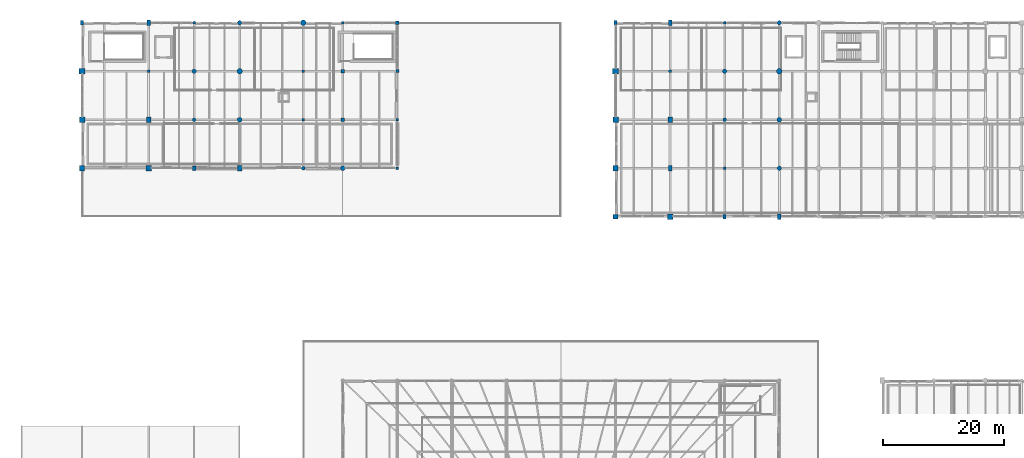
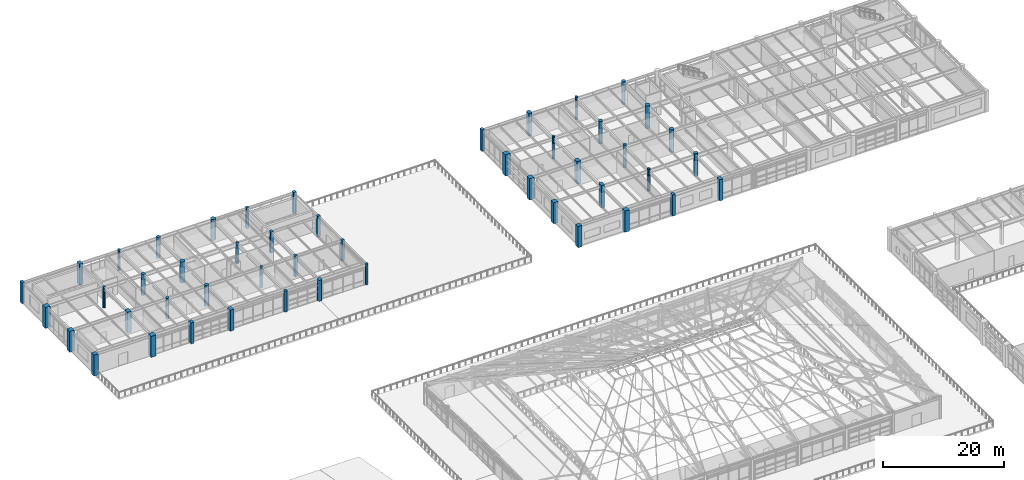
# One storey, part 7 of 168: 48 columns.
"""IFC4 building model written with IfcOpenShell, lengths in metres."""

import ifcopenshell
import ifcopenshell.guid

model = None  # the IFC model being written
_history = None  # IfcOwnerHistory: only IFC2X3 demands one
_inside = {}  # id of a spatial element -> (the spatial element, [elements in it])
_under = {}  # id of a project, library or spatial element -> (it, [spatial elements below it])
_declared = {}  # id of a project -> (the project, [libraries it declares])
_typed = {}  # id of a type object -> (the type object, [elements of that type])
_made_of = {}  # id of a material, layer set ... -> (it, [elements and type objects made of it])


def new_model(schema):
    """Start an empty IFC model of exactly this schema.

    Asked for "IFC4X3", IfcOpenShell would pick the latest addendum, in which some entities
    have other attributes; the version numbers below select the first issue.
    IFC2X3 requires an IfcOwnerHistory on every rooted entity: one is made here for all.
    """
    global model, _history
    if schema == "IFC4X3":
        model = ifcopenshell.file(schema_version=(4, 3, 0, 0))
    else:
        model = ifcopenshell.file(schema=schema)
    _inside.clear()
    _under.clear()
    _declared.clear()
    _typed.clear()
    _made_of.clear()
    _history = None
    if model.schema == "IFC2X3":
        org = make("IfcOrganization", Name="unknown")
        user = make(
            "IfcPersonAndOrganization",
            ThePerson=make("IfcPerson", FamilyName="unknown"),
            TheOrganization=org,
        )
        app = make(
            "IfcApplication",
            ApplicationDeveloper=org,
            Version="unknown",
            ApplicationFullName="unknown",
            ApplicationIdentifier="unknown",
        )
        _history = make(
            "IfcOwnerHistory",
            OwningUser=user,
            OwningApplication=app,
            ChangeAction="ADDED",
            CreationDate=0,
        )
    return model


def make(cls, **values):
    """One entity of the class cls with the attributes given. An attribute that is None is left unset."""
    return model.create_entity(
        cls, **{name: value for name, value in values.items() if value is not None}
    )


def rooted(cls, **values):
    """An entity with a GlobalId (a new one), such as an element, a storey or a relation."""
    return make(cls, GlobalId=ifcopenshell.guid.new(), OwnerHistory=_history, **values)


def si_unit(unit_type, name, prefix=None):
    """IfcSIUnit, for example si_unit("LENGTHUNIT", "METRE", prefix="MILLI")."""
    return make("IfcSIUnit", UnitType=unit_type, Prefix=prefix, Name=name)


def assignment(units):
    """IfcUnitAssignment: the units of a project."""
    return None if units is None else make("IfcUnitAssignment", Units=units)


def point(xyz):
    """IfcCartesianPoint."""
    return None if xyz is None else make("IfcCartesianPoint", Coordinates=xyz)


def direction(xyz):
    """IfcDirection."""
    return None if xyz is None else make("IfcDirection", DirectionRatios=xyz)


def frame(location, z_axis=None, x_axis=None):
    """IfcAxis2Placement3D, a coordinate frame: its origin and axes. An axis left out is left unset."""
    return make(
        "IfcAxis2Placement3D",
        Location=point(location),
        Axis=direction(z_axis),
        RefDirection=direction(x_axis),
    )


def frame_2d(location, x_axis=None):
    """IfcAxis2Placement2D, a coordinate frame in the plane: its origin and x axis."""
    return make(
        "IfcAxis2Placement2D", Location=point(location), RefDirection=direction(x_axis)
    )


def origin():
    """The frame at (0, 0, 0) with its axes left unset."""
    return frame((0.0, 0.0, 0.0))


def origin_2d():
    """The frame at (0, 0) in the plane with its x axis left unset."""
    return frame_2d((0.0, 0.0))


def place(relative_to, where):
    """IfcLocalPlacement: puts the frame where relative to a parent placement (None: the world)."""
    return make(
        "IfcLocalPlacement", PlacementRelTo=relative_to, RelativePlacement=where
    )


def context(
    kind, dimensions, precision=None, world=None, true_north=None, identifier=None
):
    """IfcGeometricRepresentationContext, for example the 3D "Model" context."""
    return make(
        "IfcGeometricRepresentationContext",
        ContextIdentifier=identifier,
        ContextType=kind,
        CoordinateSpaceDimension=dimensions,
        Precision=precision,
        WorldCoordinateSystem=world,
        TrueNorth=true_north,
    )


def subcontext(parent, identifier, kind, view, scale=None):
    """IfcGeometricRepresentationSubContext, for example "Body" below "Model"."""
    return make(
        "IfcGeometricRepresentationSubContext",
        ContextIdentifier=identifier,
        ContextType=kind,
        ParentContext=parent,
        TargetScale=scale,
        TargetView=view,
    )


def project(units=None, contexts=None):
    """IfcProject with its units and contexts."""
    return rooted(
        "IfcProject",
        Name="project",
        RepresentationContexts=contexts,
        UnitsInContext=assignment(units),
    )


def spatial(cls, under=None, at=None, **own):
    """A site, building, storey or space (cls), placed at a placement, below another one or the project."""
    s = rooted(cls, ObjectPlacement=at, **own)
    if under is not None:
        _under.setdefault(under.id(), (under, []))[1].append(s)
    return s


def profile(cls, at=None, kind="AREA", **sizes):
    """A parametric profile (cls). Its sizes go by their IFC names, for example OverallWidth=200.0."""
    return make(cls, ProfileType=kind, Position=at, **sizes)


def rectangle(**sizes):
    """IfcRectangleProfileDef."""
    return profile("IfcRectangleProfileDef", **sizes)


def circle(**sizes):
    """IfcCircleProfileDef."""
    return profile("IfcCircleProfileDef", **sizes)


def extrude(swept, where, along, depth):
    """IfcExtrudedAreaSolid: the profile swept, set in the frame where, extruded along a direction by depth."""
    return make(
        "IfcExtrudedAreaSolid",
        SweptArea=swept,
        Position=where,
        ExtrudedDirection=direction(along),
        Depth=depth,
    )


def shape(context_of_items, identifier, shape_type, items):
    """IfcShapeRepresentation: the items that make up one representation, for example the "Body"."""
    return make(
        "IfcShapeRepresentation",
        ContextOfItems=context_of_items,
        RepresentationIdentifier=identifier,
        RepresentationType=shape_type,
        Items=items,
    )


def material(Name=None, Category=None):
    """IfcMaterial."""
    return make("IfcMaterial", Name=Name, Category=Category)


def material_profile(
    of_material, cross_section, Name=None, Category=None, Priority=None
):
    """IfcMaterialProfile: a cross section and its material."""
    return make(
        "IfcMaterialProfile",
        Name=Name,
        Material=of_material,
        Profile=cross_section,
        Priority=Priority,
        Category=Category,
    )


def profile_set(profiles, Name=None, composite=None):
    """IfcMaterialProfileSet."""
    return make(
        "IfcMaterialProfileSet",
        Name=Name,
        MaterialProfiles=profiles,
        CompositeProfile=composite,
    )


def made_of(thing, what):
    """Note that an element or type object is made of a material, layer set ...; save() writes the relation."""
    if what is not None:
        _made_of.setdefault(what.id(), (what, []))[1].append(thing)
    return thing


def type_object(cls, material=None, **own):
    """A type object (cls), such as IfcWallType, which elements share."""
    return made_of(rooted(cls, **own), material)


def element(
    cls,
    number,
    at=None,
    inside=None,
    cuts=None,
    type_object=None,
    material=None,
    context=None,
    identifier="Body",
    shape_type=None,
    held_by="IfcProductDefinitionShape",
    body=None,
    shapes=None,
    **own,
):
    """One element of the class cls, such as IfcWall. Its Tag is "e" and its number.

    at: its placement. inside: the storey or other place that contains it. cuts: it is an
    opening in that element (IfcRelVoidsElement). A single representation is given by context,
    identifier, shape_type and body (its items); several are given by shapes. held_by: the class
    of the entity that holds the representations. save() writes the other relations.
    """
    e = rooted(cls, Tag="e%d" % number, ObjectPlacement=at, **own)
    if body is not None:
        shapes = [shape(context, identifier, shape_type, body)]
    if shapes is not None:
        e.Representation = make(held_by, Representations=shapes)
    if inside is not None:
        _inside.setdefault(inside.id(), (inside, []))[1].append(e)
    if cuts is not None:
        rooted(
            "IfcRelVoidsElement", RelatingBuildingElement=cuts, RelatedOpeningElement=e
        )
    if type_object is not None:
        _typed.setdefault(type_object.id(), (type_object, []))[1].append(e)
    return made_of(e, material)


def aggregate(whole, parts):
    """IfcRelAggregates: a whole, such as a stair, and the parts it consists of."""
    return rooted("IfcRelAggregates", RelatingObject=whole, RelatedObjects=parts)


def save(model, path):
    """Write the relations noted so far, then the file.

    IfcRelAggregates (storeys below a building ...), IfcRelContainedInSpatialStructure (elements
    in a storey), IfcRelDefinesByType, IfcRelAssociatesMaterial and IfcRelDeclares: one each for
    every whole, place, type object, material and project.
    """
    for whole, parts in _under.values():
        aggregate(whole, parts)
    for where, things in _inside.values():
        rooted(
            "IfcRelContainedInSpatialStructure",
            RelatedElements=things,
            RelatingStructure=where,
        )
    for kind, things in _typed.values():
        rooted("IfcRelDefinesByType", RelatedObjects=things, RelatingType=kind)
    for what, things in _made_of.values():
        rooted("IfcRelAssociatesMaterial", RelatedObjects=things, RelatingMaterial=what)
    for by, libraries in _declared.values():
        rooted("IfcRelDeclares", RelatingContext=by, RelatedDefinitions=libraries)
    model.write(path)


model = new_model("IFC4")

# Units and contexts
model_context = context("Model", 3, precision=1e-05, world=origin(), true_north=direction((0.0, 1.0)))
body_context = subcontext(model_context, "Body", "Model", "MODEL_VIEW")
ifc_project = project(units=[si_unit("LENGTHUNIT", "METRE"), si_unit("AREAUNIT", "SQUARE_METRE"), si_unit("VOLUMEUNIT", "CUBIC_METRE"), si_unit("PLANEANGLEUNIT", "RADIAN"), si_unit("MASSUNIT", "GRAM", prefix="KILO"), si_unit("THERMODYNAMICTEMPERATUREUNIT", "KELVIN"), si_unit("POWERUNIT", "WATT")], contexts=[model_context])

# Site, building, storey
site_placement = place(None, origin())
site = spatial("IfcSite", under=ifc_project, at=site_placement, CompositionType="ELEMENT")
building_placement = place(site_placement, origin())
building = spatial("IfcBuilding", under=site, at=building_placement, Name="Tepalcoro Natatorium and Aquatics Centre", CompositionType="ELEMENT")
storey_placement = place(building_placement, frame((0.0, 0.0, 10.199951171875)))
storey = spatial("IfcBuildingStorey", under=building, at=storey_placement, Name="L02", CompositionType="ELEMENT", Elevation=10.199951171875)

# Columns
ifc_material = material(Name="Concrete C40/50 (fc 40 MPa)", Category="concrete")
ifc_material_profile_1 = material_profile(ifc_material, rectangle(XDim=0.39990234375, YDim=0.39990234375, at=origin_2d()), Name="RC400x400")
ifc_profile_set_1 = profile_set([ifc_material_profile_1], Name="Concrete C40/50 (fc 40 MPa)")
column_type_1 = type_object("IfcColumnType", Name="COL_RC_400x400", PredefinedType="COLUMN", material=ifc_profile_set_1)
for number, where, z_axis, x_axis, name in (
    (1, (46.5, 102.0, 0.0), (0.0, 0.0, 1.0), (1.0, 0.0, 0.0), "V4 L02 Grid Column (46.5, 102.0)"),
    (2, (62.0, 94.0, 0.0), (0.0, 0.0, 1.0), (1.0, 0.0, 0.0), "V4 L02 Grid Column (62.0, 94.0)"),
):
    element("IfcColumn", number, at=place(storey_placement, frame(where, z_axis=z_axis, x_axis=x_axis)), inside=storey, type_object=column_type_1, Name=name, PredefinedType="COLUMN", context=body_context, shape_type="SweptSolid", body=[
        extrude(rectangle(XDim=0.39990234375, YDim=0.39990234375, at=origin_2d()), origin(), (0.0, 0.0, 1.0), 4.25),
    ])
ifc_material_profile_2 = material_profile(ifc_material, rectangle(XDim=0.449951171875, YDim=0.449951171875, at=origin_2d()), Name="RC450x450")
ifc_profile_set_2 = profile_set([ifc_material_profile_2], Name="Concrete C40/50 (fc 40 MPa)")
column_type_2 = type_object("IfcColumnType", Name="COL_RC_450x450", PredefinedType="COLUMN", material=ifc_profile_set_2)
for number, where, z_axis, x_axis, name in (
    (3, (46.5, 110.0, 0.0), (0.0, 0.0, 1.0), (1.0, 0.0, 0.0), "V4 L02 Grid Column (46.5, 110.0)"),
    (4, (53.0, 118.0, 0.0), (0.0, 0.0, 1.0), (1.0, 0.0, 0.0), "V4 L02 Grid Column (53.0, 118.0)"),
    (5, (62.0, 102.0, 0.0), (0.0, 0.0, 1.0), (1.0, 0.0, 0.0), "V4 L02 Grid Column (62.0, 102.0)"),
):
    element("IfcColumn", number, at=place(storey_placement, frame(where, z_axis=z_axis, x_axis=x_axis)), inside=storey, type_object=column_type_2, Name=name, PredefinedType="COLUMN", context=body_context, shape_type="SweptSolid", body=[
        extrude(rectangle(XDim=0.449951171875, YDim=0.449951171875, at=origin_2d()), origin(), (0.0, 0.0, 1.0), 4.25),
    ])
ifc_material_profile_3 = material_profile(ifc_material, rectangle(XDim=0.5, YDim=0.5, at=origin_2d()), Name="RC500x500")
ifc_profile_set_3 = profile_set([ifc_material_profile_3], Name="Concrete C40/50 (fc 40 MPa)")
column_type_3 = type_object("IfcColumnType", Name="COL_RC_500x500", PredefinedType="COLUMN", material=ifc_profile_set_3)
for number, where, z_axis, x_axis, name in (
    (6, (53.0, 102.0, 0.0), (0.0, 0.0, 1.0), (1.0, 0.0, 0.0), "V4 L02 Grid Column (53.0, 102.0)"),
    (7, (62.0, 110.0, 0.0), (0.0, 0.0, 1.0), (1.0, 0.0, 0.0), "V4 L02 Grid Column (62.0, 110.0)"),
):
    element("IfcColumn", number, at=place(storey_placement, frame(where, z_axis=z_axis, x_axis=x_axis)), inside=storey, type_object=column_type_3, Name=name, PredefinedType="COLUMN", context=body_context, shape_type="SweptSolid", body=[
        extrude(rectangle(XDim=0.5, YDim=0.5, at=origin_2d()), origin(), (0.0, 0.0, 1.0), 4.25),
    ])
ifc_material_profile_4 = material_profile(ifc_material, rectangle(XDim=0.5, YDim=0.699951171875, at=origin_2d()), Name="RC500x700")
ifc_profile_set_4 = profile_set([ifc_material_profile_4], Name="Concrete C40/50 (fc 40 MPa)")
column_type_4 = type_object("IfcColumnType", Name="COL_RC_500x700", PredefinedType="COLUMN", material=ifc_profile_set_4)
column_1_placement = place(storey_placement, frame((10.0, 118.0, 0.0), z_axis=(0.0, 0.0, 1.0), x_axis=(1.0, 0.0, 0.0)))
element("IfcColumn", 8, at=column_1_placement, inside=storey, type_object=column_type_4, Name="V4 L02 Grid Column (10.0, 118.0)", PredefinedType="COLUMN", context=body_context, shape_type="SweptSolid", body=[
    extrude(rectangle(XDim=0.5, YDim=0.699951171875, at=origin_2d()), origin(), (0.0, 0.0, 1.0), 4.25),
])
for number, where, z_axis, x_axis, name in (
    (9, (98.0, 118.0, 0.0), (0.0, 0.0, 1.0), (1.0, 0.0, 0.0), "V5 L02 Grid Column (98.0, 118.0)"),
    (10, (116.0, 86.0, 0.0), (0.0, 0.0, 1.0), (1.0, 0.0, 0.0), "V5 L02 Grid Column (116.0, 86.0)"),
):
    element("IfcColumn", number, at=place(storey_placement, frame(where, z_axis=z_axis, x_axis=x_axis)), inside=storey, type_object=column_type_4, Name=name, PredefinedType="COLUMN", context=body_context, shape_type="SweptSolid", body=[
        extrude(rectangle(XDim=0.5, YDim=0.699951171875, at=origin_2d()), origin(), (0.0, 0.0, 1.0), 4.300048828125),
    ])
ifc_material_profile_5 = material_profile(ifc_material, rectangle(XDim=0.550048828125, YDim=0.550048828125, at=origin_2d()), Name="RC550x550")
ifc_profile_set_5 = profile_set([ifc_material_profile_5], Name="Concrete C40/50 (fc 40 MPa)")
column_type_5 = type_object("IfcColumnType", Name="COL_RC_550x550", PredefinedType="COLUMN", material=ifc_profile_set_5)
for number, where, z_axis, x_axis, name in (
    (11, (53.0, 110.0, 0.0), (0.0, 0.0, 1.0), (1.0, 0.0, 0.0), "V4 L02 Grid Column (53.0, 110.0)"),
    (12, (62.0, 118.0, 0.0), (0.0, 0.0, 1.0), (1.0, 0.0, 0.0), "V4 L02 Grid Column (62.0, 118.0)"),
):
    element("IfcColumn", number, at=place(storey_placement, frame(where, z_axis=z_axis, x_axis=x_axis)), inside=storey, type_object=column_type_5, Name=name, PredefinedType="COLUMN", context=body_context, shape_type="SweptSolid", body=[
        extrude(rectangle(XDim=0.550048828125, YDim=0.550048828125, at=origin_2d()), origin(), (0.0, 0.0, 1.0), 4.25),
    ])
ifc_material_profile_6 = material_profile(ifc_material, rectangle(XDim=0.60009765625, YDim=0.800048828125, at=origin_2d()), Name="RC600x800")
ifc_profile_set_6 = profile_set([ifc_material_profile_6], Name="Concrete C40/50 (fc 40 MPa)")
column_type_6 = type_object("IfcColumnType", Name="COL_RC_600x800", PredefinedType="COLUMN", material=ifc_profile_set_6)
column_2_placement = place(storey_placement, frame((28.5, 94.0, 0.0), z_axis=(0.0, 0.0, 1.0), x_axis=(1.0, 0.0, 0.0)))
element("IfcColumn", 13, at=column_2_placement, inside=storey, type_object=column_type_6, Name="V4 L02 Grid Column (28.5, 94.0)", PredefinedType="COLUMN", context=body_context, shape_type="SweptSolid", body=[
    extrude(rectangle(XDim=0.60009765625, YDim=0.800048828125, at=origin_2d()), origin(), (0.0, 0.0, 1.0), 4.25),
])
ifc_material_profile_7 = material_profile(ifc_material, rectangle(XDim=0.60009765625, YDim=0.89990234375, at=origin_2d()), Name="RC600x900")
ifc_profile_set_7 = profile_set([ifc_material_profile_7], Name="Concrete C40/50 (fc 40 MPa)")
column_type_7 = type_object("IfcColumnType", Name="COL_RC_600x900", PredefinedType="COLUMN", material=ifc_profile_set_7)
column_3_placement = place(storey_placement, frame((21.0, 118.0, 0.0), z_axis=(0.0, 0.0, 1.0), x_axis=(1.0, 0.0, 0.0)))
element("IfcColumn", 14, at=column_3_placement, inside=storey, type_object=column_type_7, Name="V4 L02 Grid Column (21.0, 118.0)", PredefinedType="COLUMN", context=body_context, shape_type="SweptSolid", body=[
    extrude(rectangle(XDim=0.60009765625, YDim=0.89990234375, at=origin_2d()), origin(), (0.0, 0.0, 1.0), 4.25),
])
for number, where, z_axis, x_axis, name in (
    (15, (107.0, 94.0, 0.0), (0.0, 0.0, 1.0), (1.0, 0.0, 0.0), "V5 L02 Grid Column (107.0, 94.0)"),
    (16, (107.0, 118.0, 0.0), (0.0, 0.0, 1.0), (1.0, 0.0, 0.0), "V5 L02 Grid Column (107.0, 118.0)"),
):
    element("IfcColumn", number, at=place(storey_placement, frame(where, z_axis=z_axis, x_axis=x_axis)), inside=storey, type_object=column_type_7, Name=name, PredefinedType="COLUMN", context=body_context, shape_type="SweptSolid", body=[
        extrude(rectangle(XDim=0.60009765625, YDim=0.89990234375, at=origin_2d()), origin(), (0.0, 0.0, 1.0), 4.60009765625),
    ])
column_4_placement = place(storey_placement, frame((125.0, 86.0, 0.0), z_axis=(0.0, 0.0, 1.0), x_axis=(1.0, 0.0, 0.0)))
element("IfcColumn", 17, at=column_4_placement, inside=storey, type_object=column_type_7, Name="V5 L02 Grid Column (125.0, 86.0)", PredefinedType="COLUMN", context=body_context, shape_type="SweptSolid", body=[
    extrude(rectangle(XDim=0.60009765625, YDim=0.89990234375, at=origin_2d()), origin(), (0.0, 0.0, 1.0), 4.300048828125),
])
ifc_material_profile_8 = material_profile(ifc_material, rectangle(XDim=0.699951171875, YDim=0.949951171875, at=origin_2d()), Name="RC700x950")
ifc_profile_set_8 = profile_set([ifc_material_profile_8], Name="Concrete C40/50 (fc 40 MPa)")
column_type_8 = type_object("IfcColumnType", Name="COL_RC_700x950", PredefinedType="COLUMN", material=ifc_profile_set_8)
for number, where, z_axis, x_axis, name in (
    (18, (21.0, 102.0, 0.0), (0.0, 0.0, 1.0), (1.0, 0.0, 0.0), "V4 L02 Grid Column (21.0, 102.0)"),
    (19, (36.0, 94.0, 0.0), (0.0, 0.0, 1.0), (1.0, 0.0, 0.0), "V4 L02 Grid Column (36.0, 94.0)"),
):
    element("IfcColumn", number, at=place(storey_placement, frame(where, z_axis=z_axis, x_axis=x_axis)), inside=storey, type_object=column_type_8, Name=name, PredefinedType="COLUMN", context=body_context, shape_type="SweptSolid", body=[
        extrude(rectangle(XDim=0.699951171875, YDim=0.949951171875, at=origin_2d()), origin(), (0.0, 0.0, 1.0), 4.25),
    ])
column_5_placement = place(storey_placement, frame((107.0, 102.0, 0.0), z_axis=(0.0, 0.0, 1.0), x_axis=(1.0, 0.0, 0.0)))
element("IfcColumn", 20, at=column_5_placement, inside=storey, type_object=column_type_8, Name="V5 L02 Grid Column (107.0, 102.0)", PredefinedType="COLUMN", context=body_context, shape_type="SweptSolid", body=[
    extrude(rectangle(XDim=0.699951171875, YDim=0.949951171875, at=origin_2d()), origin(), (0.0, 0.0, 1.0), 4.60009765625),
])
ifc_material_profile_9 = material_profile(ifc_material, rectangle(XDim=0.800048828125, YDim=0.800048828125, at=origin_2d()), Name="RC800x800")
ifc_profile_set_9 = profile_set([ifc_material_profile_9], Name="Concrete C40/50 (fc 40 MPa)")
column_type_9 = type_object("IfcColumnType", Name="COL_RC_800x800", PredefinedType="COLUMN", material=ifc_profile_set_9)
column_6_placement = place(storey_placement, frame((98.0, 86.0, 0.0), z_axis=(0.0, 0.0, 1.0), x_axis=(1.0, 0.0, 0.0)))
element("IfcColumn", 21, at=column_6_placement, inside=storey, type_object=column_type_9, Name="V5 L02 Grid Column (98.0, 86.0)", PredefinedType="COLUMN", context=body_context, shape_type="SweptSolid", body=[
    extrude(rectangle(XDim=0.800048828125, YDim=0.800048828125, at=origin_2d()), origin(), (0.0, 0.0, 1.0), 4.300048828125),
])
ifc_material_profile_10 = material_profile(ifc_material, rectangle(XDim=0.85009765625, YDim=0.85009765625, at=origin_2d()), Name="RC850x850")
ifc_profile_set_10 = profile_set([ifc_material_profile_10], Name="Concrete C40/50 (fc 40 MPa)")
column_type_10 = type_object("IfcColumnType", Name="COL_RC_850x850", PredefinedType="COLUMN", material=ifc_profile_set_10)
column_7_placement = place(storey_placement, frame((10.0, 94.0, 0.0), z_axis=(0.0, 0.0, 1.0), x_axis=(1.0, 0.0, 0.0)))
element("IfcColumn", 22, at=column_7_placement, inside=storey, type_object=column_type_10, Name="V4 L02 Grid Column (10.0, 94.0)", PredefinedType="COLUMN", context=body_context, shape_type="SweptSolid", body=[
    extrude(rectangle(XDim=0.85009765625, YDim=0.85009765625, at=origin_2d()), origin(), (0.0, 0.0, 1.0), 4.25),
])
column_8_placement = place(storey_placement, frame((98.0, 94.0, 0.0), z_axis=(0.0, 0.0, 1.0), x_axis=(1.0, 0.0, 0.0)))
element("IfcColumn", 23, at=column_8_placement, inside=storey, type_object=column_type_10, Name="V5 L02 Grid Column (98.0, 94.0)", PredefinedType="COLUMN", context=body_context, shape_type="SweptSolid", body=[
    extrude(rectangle(XDim=0.85009765625, YDim=0.85009765625, at=origin_2d()), origin(), (0.0, 0.0, 1.0), 4.300048828125),
])
ifc_material_profile_11 = material_profile(ifc_material, rectangle(XDim=0.89990234375, YDim=0.89990234375, at=origin_2d()), Name="RC900x900")
ifc_profile_set_11 = profile_set([ifc_material_profile_11], Name="Concrete C40/50 (fc 40 MPa)")
column_type_11 = type_object("IfcColumnType", Name="COL_RC_900x900", PredefinedType="COLUMN", material=ifc_profile_set_11)
column_9_placement = place(storey_placement, frame((10.0, 102.0, 0.0), z_axis=(0.0, 0.0, 1.0), x_axis=(1.0, 0.0, 0.0)))
element("IfcColumn", 24, at=column_9_placement, inside=storey, type_object=column_type_11, Name="V4 L02 Grid Column (10.0, 102.0)", PredefinedType="COLUMN", context=body_context, shape_type="SweptSolid", body=[
    extrude(rectangle(XDim=0.89990234375, YDim=0.89990234375, at=origin_2d()), origin(), (0.0, 0.0, 1.0), 4.25),
])
for number, where, z_axis, x_axis, name in (
    (25, (98.0, 102.0, 0.0), (0.0, 0.0, 1.0), (1.0, 0.0, 0.0), "V5 L02 Grid Column (98.0, 102.0)"),
    (26, (107.0, 86.0, 0.0), (0.0, 0.0, 1.0), (1.0, 0.0, 0.0), "V5 L02 Grid Column (107.0, 86.0)"),
):
    element("IfcColumn", number, at=place(storey_placement, frame(where, z_axis=z_axis, x_axis=x_axis)), inside=storey, type_object=column_type_11, Name=name, PredefinedType="COLUMN", context=body_context, shape_type="SweptSolid", body=[
        extrude(rectangle(XDim=0.89990234375, YDim=0.89990234375, at=origin_2d()), origin(), (0.0, 0.0, 1.0), 4.300048828125),
    ])
ifc_material_profile_12 = material_profile(ifc_material, rectangle(XDim=0.949951171875, YDim=0.949951171875, at=origin_2d()), Name="RC950x950")
ifc_profile_set_12 = profile_set([ifc_material_profile_12], Name="Concrete C40/50 (fc 40 MPa)")
column_type_12 = type_object("IfcColumnType", Name="COL_RC_950x950", PredefinedType="COLUMN", material=ifc_profile_set_12)
for number, where, z_axis, x_axis, name in (
    (27, (10.0, 110.0, 0.0), (0.0, 0.0, 1.0), (1.0, 0.0, 0.0), "V4 L02 Grid Column (10.0, 110.0)"),
    (28, (21.0, 94.0, 0.0), (0.0, 0.0, 1.0), (1.0, 0.0, 0.0), "V4 L02 Grid Column (21.0, 94.0)"),
):
    element("IfcColumn", number, at=place(storey_placement, frame(where, z_axis=z_axis, x_axis=x_axis)), inside=storey, type_object=column_type_12, Name=name, PredefinedType="COLUMN", context=body_context, shape_type="SweptSolid", body=[
        extrude(rectangle(XDim=0.949951171875, YDim=0.949951171875, at=origin_2d()), origin(), (0.0, 0.0, 1.0), 4.25),
    ])
column_10_placement = place(storey_placement, frame((98.0, 110.0, 0.0), z_axis=(0.0, 0.0, 1.0), x_axis=(1.0, 0.0, 0.0)))
element("IfcColumn", 29, at=column_10_placement, inside=storey, type_object=column_type_12, Name="V5 L02 Grid Column (98.0, 110.0)", PredefinedType="COLUMN", context=body_context, shape_type="SweptSolid", body=[
    extrude(rectangle(XDim=0.949951171875, YDim=0.949951171875, at=origin_2d()), origin(), (0.0, 0.0, 1.0), 4.300048828125),
])
ifc_material_profile_13 = material_profile(ifc_material, circle(Radius=0.25, at=origin_2d()), Name="RCD500")
ifc_profile_set_13 = profile_set([ifc_material_profile_13], Name="Concrete C40/50 (fc 40 MPa)")
column_type_13 = type_object("IfcColumnType", Name="COL_RC_D500", PredefinedType="COLUMN", material=ifc_profile_set_13)
for number, where, z_axis, x_axis, name in (
    (30, (21.0, 110.0, 0.0), (0.0, 0.0, 1.0), (1.0, 0.0, 0.0), "V4 L02 Grid Column (21.0, 110.0)"),
    (31, (28.5, 118.0, 0.0), (0.0, 0.0, 1.0), (1.0, 0.0, 0.0), "V4 L02 Grid Column (28.5, 118.0)"),
):
    element("IfcColumn", number, at=place(storey_placement, frame(where, z_axis=z_axis, x_axis=x_axis)), inside=storey, type_object=column_type_13, Name=name, PredefinedType="COLUMN", context=body_context, shape_type="SweptSolid", body=[
        extrude(circle(Radius=0.25, at=origin_2d()), origin(), (0.0, 0.0, 1.0), 4.25),
    ])
for number, where, z_axis, x_axis, name in (
    (32, (107.0, 110.0, 0.0), (0.0, 0.0, 1.0), (1.0, 0.0, 0.0), "V5 L02 Grid Column (107.0, 110.0)"),
    (33, (116.0, 94.0, 0.0), (0.0, 0.0, 1.0), (1.0, 0.0, 0.0), "V5 L02 Grid Column (116.0, 94.0)"),
    (34, (116.0, 118.0, 0.0), (0.0, 0.0, 1.0), (1.0, 0.0, 0.0), "V5 L02 Grid Column (116.0, 118.0)"),
):
    element("IfcColumn", number, at=place(storey_placement, frame(where, z_axis=z_axis, x_axis=x_axis)), inside=storey, type_object=column_type_13, Name=name, PredefinedType="COLUMN", context=body_context, shape_type="SweptSolid", body=[
        extrude(circle(Radius=0.25, at=origin_2d()), origin(), (0.0, 0.0, 1.0), 4.60009765625),
    ])
ifc_material_profile_14 = material_profile(ifc_material, circle(Radius=0.300048828125, at=origin_2d()), Name="RCD600")
ifc_profile_set_14 = profile_set([ifc_material_profile_14], Name="Concrete C40/50 (fc 40 MPa)")
column_type_14 = type_object("IfcColumnType", Name="COL_RC_D600", PredefinedType="COLUMN", material=ifc_profile_set_14)
for number, where, z_axis, x_axis, name in (
    (35, (28.5, 102.0, 0.0), (0.0, 0.0, 1.0), (1.0, 0.0, 0.0), "V4 L02 Grid Column (28.5, 102.0)"),
    (36, (46.5, 94.0, 0.0), (0.0, 0.0, 1.0), (1.0, 0.0, 0.0), "V4 L02 Grid Column (46.5, 94.0)"),
):
    element("IfcColumn", number, at=place(storey_placement, frame(where, z_axis=z_axis, x_axis=x_axis)), inside=storey, type_object=column_type_14, Name=name, PredefinedType="COLUMN", context=body_context, shape_type="SweptSolid", body=[
        extrude(circle(Radius=0.300048828125, at=origin_2d()), origin(), (0.0, 0.0, 1.0), 4.25),
    ])
column_11_placement = place(storey_placement, frame((116.0, 102.0, 0.0), z_axis=(0.0, 0.0, 1.0), x_axis=(1.0, 0.0, 0.0)))
element("IfcColumn", 37, at=column_11_placement, inside=storey, type_object=column_type_14, Name="V5 L02 Grid Column (116.0, 102.0)", PredefinedType="COLUMN", context=body_context, shape_type="SweptSolid", body=[
    extrude(circle(Radius=0.300048828125, at=origin_2d()), origin(), (0.0, 0.0, 1.0), 4.60009765625),
])
ifc_material_profile_15 = material_profile(ifc_material, circle(Radius=0.35009765625, at=origin_2d()), Name="RCD700")
ifc_profile_set_15 = profile_set([ifc_material_profile_15], Name="Concrete C40/50 (fc 40 MPa)")
column_type_15 = type_object("IfcColumnType", Name="COL_RC_D700", PredefinedType="COLUMN", material=ifc_profile_set_15)
for number, where, z_axis, x_axis, name in (
    (38, (28.5, 110.0, 0.0), (0.0, 0.0, 1.0), (1.0, 0.0, 0.0), "V4 L02 Grid Column (28.5, 110.0)"),
    (39, (36.0, 118.0, 0.0), (0.0, 0.0, 1.0), (1.0, 0.0, 0.0), "V4 L02 Grid Column (36.0, 118.0)"),
):
    element("IfcColumn", number, at=place(storey_placement, frame(where, z_axis=z_axis, x_axis=x_axis)), inside=storey, type_object=column_type_15, Name=name, PredefinedType="COLUMN", context=body_context, shape_type="SweptSolid", body=[
        extrude(circle(Radius=0.35009765625, at=origin_2d()), origin(), (0.0, 0.0, 1.0), 4.25),
    ])
for number, where, z_axis, x_axis, name in (
    (40, (116.0, 110.0, 0.0), (0.0, 0.0, 1.0), (1.0, 0.0, 0.0), "V5 L02 Grid Column (116.0, 110.0)"),
    (41, (125.0, 94.0, 0.0), (0.0, 0.0, 1.0), (1.0, 0.0, 0.0), "V5 L02 Grid Column (125.0, 94.0)"),
    (42, (125.0, 118.0, 0.0), (0.0, 0.0, 1.0), (1.0, 0.0, 0.0), "V5 L02 Grid Column (125.0, 118.0)"),
):
    element("IfcColumn", number, at=place(storey_placement, frame(where, z_axis=z_axis, x_axis=x_axis)), inside=storey, type_object=column_type_15, Name=name, PredefinedType="COLUMN", context=body_context, shape_type="SweptSolid", body=[
        extrude(circle(Radius=0.35009765625, at=origin_2d()), origin(), (0.0, 0.0, 1.0), 4.60009765625),
    ])
ifc_material_profile_16 = material_profile(ifc_material, circle(Radius=0.39990234375, at=origin_2d()), Name="RCD800")
ifc_profile_set_16 = profile_set([ifc_material_profile_16], Name="Concrete C40/50 (fc 40 MPa)")
column_type_16 = type_object("IfcColumnType", Name="COL_RC_D800", PredefinedType="COLUMN", material=ifc_profile_set_16)
for number, where, z_axis, x_axis, name in (
    (43, (36.0, 102.0, 0.0), (0.0, 0.0, 1.0), (1.0, 0.0, 0.0), "V4 L02 Grid Column (36.0, 102.0)"),
    (44, (53.0, 94.0, 0.0), (0.0, 0.0, 1.0), (1.0, 0.0, 0.0), "V4 L02 Grid Column (53.0, 94.0)"),
):
    element("IfcColumn", number, at=place(storey_placement, frame(where, z_axis=z_axis, x_axis=x_axis)), inside=storey, type_object=column_type_16, Name=name, PredefinedType="COLUMN", context=body_context, shape_type="SweptSolid", body=[
        extrude(circle(Radius=0.39990234375, at=origin_2d()), origin(), (0.0, 0.0, 1.0), 4.25),
    ])
column_12_placement = place(storey_placement, frame((125.0, 102.0, 0.0), z_axis=(0.0, 0.0, 1.0), x_axis=(1.0, 0.0, 0.0)))
element("IfcColumn", 45, at=column_12_placement, inside=storey, type_object=column_type_16, Name="V5 L02 Grid Column (125.0, 102.0)", PredefinedType="COLUMN", context=body_context, shape_type="SweptSolid", body=[
    extrude(circle(Radius=0.39990234375, at=origin_2d()), origin(), (0.0, 0.0, 1.0), 4.60009765625),
])
ifc_material_profile_17 = material_profile(ifc_material, circle(Radius=0.449951171875, at=origin_2d()), Name="RCD900")
ifc_profile_set_17 = profile_set([ifc_material_profile_17], Name="Concrete C40/50 (fc 40 MPa)")
column_type_17 = type_object("IfcColumnType", Name="COL_RC_D900", PredefinedType="COLUMN", material=ifc_profile_set_17)
for number, where, z_axis, x_axis, name in (
    (46, (36.0, 110.0, 0.0), (0.0, 0.0, 1.0), (1.0, 0.0, 0.0), "V4 L02 Grid Column (36.0, 110.0)"),
    (47, (46.5, 118.0, 0.0), (0.0, 0.0, 1.0), (1.0, 0.0, 0.0), "V4 L02 Grid Column (46.5, 118.0)"),
):
    element("IfcColumn", number, at=place(storey_placement, frame(where, z_axis=z_axis, x_axis=x_axis)), inside=storey, type_object=column_type_17, Name=name, PredefinedType="COLUMN", context=body_context, shape_type="SweptSolid", body=[
        extrude(circle(Radius=0.449951171875, at=origin_2d()), origin(), (0.0, 0.0, 1.0), 4.25),
    ])
column_13_placement = place(storey_placement, frame((125.0, 110.0, 0.0), z_axis=(0.0, 0.0, 1.0), x_axis=(1.0, 0.0, 0.0)))
element("IfcColumn", 48, at=column_13_placement, inside=storey, type_object=column_type_17, Name="V5 L02 Grid Column (125.0, 110.0)", PredefinedType="COLUMN", context=body_context, shape_type="SweptSolid", body=[
    extrude(circle(Radius=0.449951171875, at=origin_2d()), origin(), (0.0, 0.0, 1.0), 4.60009765625),
])

save(model, "model.ifc")
